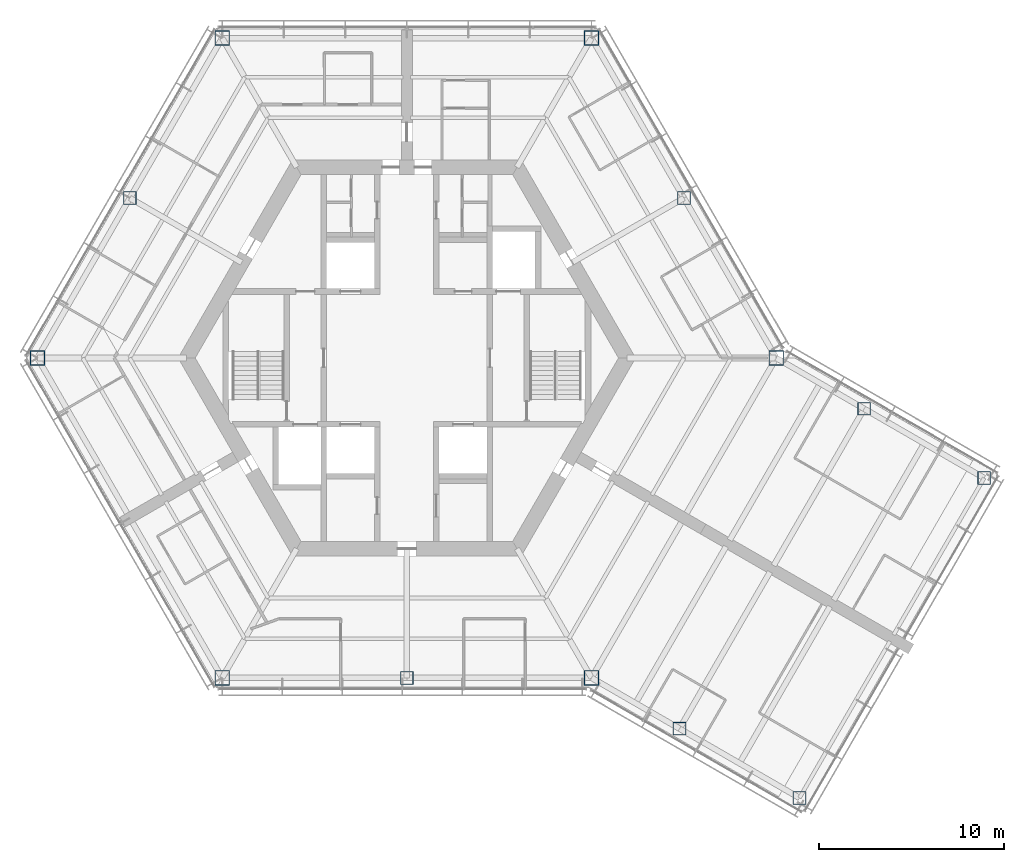
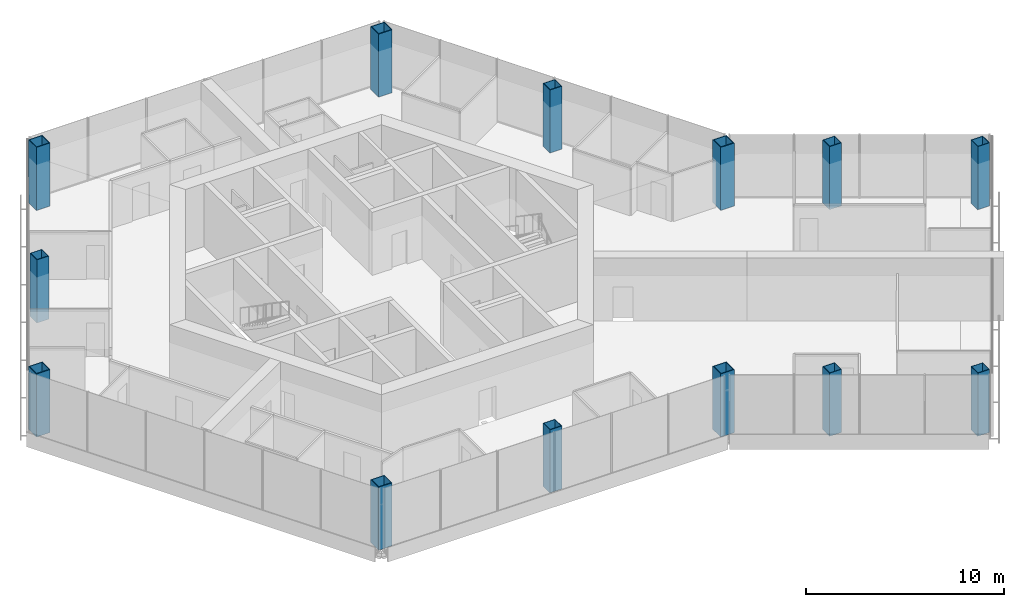
# One storey, part 1 of 16: 13 columns.
"""IFC4 building model written with IfcOpenShell, lengths in metres."""

import ifcopenshell
import ifcopenshell.guid

model = None  # the IFC model being written
_history = None  # IfcOwnerHistory: only IFC2X3 demands one
_inside = {}  # id of a spatial element -> (the spatial element, [elements in it])
_under = {}  # id of a project, library or spatial element -> (it, [spatial elements below it])
_declared = {}  # id of a project -> (the project, [libraries it declares])
_typed = {}  # id of a type object -> (the type object, [elements of that type])
_made_of = {}  # id of a material, layer set ... -> (it, [elements and type objects made of it])


def new_model(schema):
    """Start an empty IFC model of exactly this schema.

    Asked for "IFC4X3", IfcOpenShell would pick the latest addendum, in which some entities
    have other attributes; the version numbers below select the first issue.
    IFC2X3 requires an IfcOwnerHistory on every rooted entity: one is made here for all.
    """
    global model, _history
    if schema == "IFC4X3":
        model = ifcopenshell.file(schema_version=(4, 3, 0, 0))
    else:
        model = ifcopenshell.file(schema=schema)
    _inside.clear()
    _under.clear()
    _declared.clear()
    _typed.clear()
    _made_of.clear()
    _history = None
    if model.schema == "IFC2X3":
        org = make("IfcOrganization", Name="unknown")
        user = make(
            "IfcPersonAndOrganization",
            ThePerson=make("IfcPerson", FamilyName="unknown"),
            TheOrganization=org,
        )
        app = make(
            "IfcApplication",
            ApplicationDeveloper=org,
            Version="unknown",
            ApplicationFullName="unknown",
            ApplicationIdentifier="unknown",
        )
        _history = make(
            "IfcOwnerHistory",
            OwningUser=user,
            OwningApplication=app,
            ChangeAction="ADDED",
            CreationDate=0,
        )
    return model


def make(cls, **values):
    """One entity of the class cls with the attributes given. An attribute that is None is left unset."""
    return model.create_entity(
        cls, **{name: value for name, value in values.items() if value is not None}
    )


def rooted(cls, **values):
    """An entity with a GlobalId (a new one), such as an element, a storey or a relation."""
    return make(cls, GlobalId=ifcopenshell.guid.new(), OwnerHistory=_history, **values)


def si_unit(unit_type, name, prefix=None):
    """IfcSIUnit, for example si_unit("LENGTHUNIT", "METRE", prefix="MILLI")."""
    return make("IfcSIUnit", UnitType=unit_type, Prefix=prefix, Name=name)


def assignment(units):
    """IfcUnitAssignment: the units of a project."""
    return None if units is None else make("IfcUnitAssignment", Units=units)


def point(xyz):
    """IfcCartesianPoint."""
    return None if xyz is None else make("IfcCartesianPoint", Coordinates=xyz)


def direction(xyz):
    """IfcDirection."""
    return None if xyz is None else make("IfcDirection", DirectionRatios=xyz)


def frame(location, z_axis=None, x_axis=None):
    """IfcAxis2Placement3D, a coordinate frame: its origin and axes. An axis left out is left unset."""
    return make(
        "IfcAxis2Placement3D",
        Location=point(location),
        Axis=direction(z_axis),
        RefDirection=direction(x_axis),
    )


def frame_2d(location, x_axis=None):
    """IfcAxis2Placement2D, a coordinate frame in the plane: its origin and x axis."""
    return make(
        "IfcAxis2Placement2D", Location=point(location), RefDirection=direction(x_axis)
    )


def origin():
    """The frame at (0, 0, 0) with its axes left unset."""
    return frame((0.0, 0.0, 0.0))


def origin_2d():
    """The frame at (0, 0) in the plane with its x axis left unset."""
    return frame_2d((0.0, 0.0))


def place(relative_to, where):
    """IfcLocalPlacement: puts the frame where relative to a parent placement (None: the world)."""
    return make(
        "IfcLocalPlacement", PlacementRelTo=relative_to, RelativePlacement=where
    )


def context(
    kind, dimensions, precision=None, world=None, true_north=None, identifier=None
):
    """IfcGeometricRepresentationContext, for example the 3D "Model" context."""
    return make(
        "IfcGeometricRepresentationContext",
        ContextIdentifier=identifier,
        ContextType=kind,
        CoordinateSpaceDimension=dimensions,
        Precision=precision,
        WorldCoordinateSystem=world,
        TrueNorth=true_north,
    )


def subcontext(parent, identifier, kind, view, scale=None):
    """IfcGeometricRepresentationSubContext, for example "Body" below "Model"."""
    return make(
        "IfcGeometricRepresentationSubContext",
        ContextIdentifier=identifier,
        ContextType=kind,
        ParentContext=parent,
        TargetScale=scale,
        TargetView=view,
    )


def project(units=None, contexts=None):
    """IfcProject with its units and contexts."""
    return rooted(
        "IfcProject",
        Name="project",
        RepresentationContexts=contexts,
        UnitsInContext=assignment(units),
    )


def spatial(cls, under=None, at=None, **own):
    """A site, building, storey or space (cls), placed at a placement, below another one or the project."""
    s = rooted(cls, ObjectPlacement=at, **own)
    if under is not None:
        _under.setdefault(under.id(), (under, []))[1].append(s)
    return s


def profile(cls, at=None, kind="AREA", **sizes):
    """A parametric profile (cls). Its sizes go by their IFC names, for example OverallWidth=200.0."""
    return make(cls, ProfileType=kind, Position=at, **sizes)


def hollow_rectangle(**sizes):
    """IfcRectangleHollowProfileDef."""
    return profile("IfcRectangleHollowProfileDef", **sizes)


def extrude(swept, where, along, depth):
    """IfcExtrudedAreaSolid: the profile swept, set in the frame where, extruded along a direction by depth."""
    return make(
        "IfcExtrudedAreaSolid",
        SweptArea=swept,
        Position=where,
        ExtrudedDirection=direction(along),
        Depth=depth,
    )


def shape(context_of_items, identifier, shape_type, items):
    """IfcShapeRepresentation: the items that make up one representation, for example the "Body"."""
    return make(
        "IfcShapeRepresentation",
        ContextOfItems=context_of_items,
        RepresentationIdentifier=identifier,
        RepresentationType=shape_type,
        Items=items,
    )


def material(Name=None, Category=None):
    """IfcMaterial."""
    return make("IfcMaterial", Name=Name, Category=Category)


def material_profile(
    of_material, cross_section, Name=None, Category=None, Priority=None
):
    """IfcMaterialProfile: a cross section and its material."""
    return make(
        "IfcMaterialProfile",
        Name=Name,
        Material=of_material,
        Profile=cross_section,
        Priority=Priority,
        Category=Category,
    )


def profile_set(profiles, Name=None, composite=None):
    """IfcMaterialProfileSet."""
    return make(
        "IfcMaterialProfileSet",
        Name=Name,
        MaterialProfiles=profiles,
        CompositeProfile=composite,
    )


def made_of(thing, what):
    """Note that an element or type object is made of a material, layer set ...; save() writes the relation."""
    if what is not None:
        _made_of.setdefault(what.id(), (what, []))[1].append(thing)
    return thing


def type_object(cls, material=None, **own):
    """A type object (cls), such as IfcWallType, which elements share."""
    return made_of(rooted(cls, **own), material)


def element(
    cls,
    number,
    at=None,
    inside=None,
    cuts=None,
    type_object=None,
    material=None,
    context=None,
    identifier="Body",
    shape_type=None,
    held_by="IfcProductDefinitionShape",
    body=None,
    shapes=None,
    **own,
):
    """One element of the class cls, such as IfcWall. Its Tag is "e" and its number.

    at: its placement. inside: the storey or other place that contains it. cuts: it is an
    opening in that element (IfcRelVoidsElement). A single representation is given by context,
    identifier, shape_type and body (its items); several are given by shapes. held_by: the class
    of the entity that holds the representations. save() writes the other relations.
    """
    e = rooted(cls, Tag="e%d" % number, ObjectPlacement=at, **own)
    if body is not None:
        shapes = [shape(context, identifier, shape_type, body)]
    if shapes is not None:
        e.Representation = make(held_by, Representations=shapes)
    if inside is not None:
        _inside.setdefault(inside.id(), (inside, []))[1].append(e)
    if cuts is not None:
        rooted(
            "IfcRelVoidsElement", RelatingBuildingElement=cuts, RelatedOpeningElement=e
        )
    if type_object is not None:
        _typed.setdefault(type_object.id(), (type_object, []))[1].append(e)
    return made_of(e, material)


def aggregate(whole, parts):
    """IfcRelAggregates: a whole, such as a stair, and the parts it consists of."""
    return rooted("IfcRelAggregates", RelatingObject=whole, RelatedObjects=parts)


def save(model, path):
    """Write the relations noted so far, then the file.

    IfcRelAggregates (storeys below a building ...), IfcRelContainedInSpatialStructure (elements
    in a storey), IfcRelDefinesByType, IfcRelAssociatesMaterial and IfcRelDeclares: one each for
    every whole, place, type object, material and project.
    """
    for whole, parts in _under.values():
        aggregate(whole, parts)
    for where, things in _inside.values():
        rooted(
            "IfcRelContainedInSpatialStructure",
            RelatedElements=things,
            RelatingStructure=where,
        )
    for kind, things in _typed.values():
        rooted("IfcRelDefinesByType", RelatedObjects=things, RelatingType=kind)
    for what, things in _made_of.values():
        rooted("IfcRelAssociatesMaterial", RelatedObjects=things, RelatingMaterial=what)
    for by, libraries in _declared.values():
        rooted("IfcRelDeclares", RelatingContext=by, RelatedDefinitions=libraries)
    model.write(path)


model = new_model("IFC4")

# Units and contexts
model_context = context("Model", 3, precision=1e-05, world=origin(), true_north=direction((0.0, 1.0)))
body_context = subcontext(model_context, "Body", "Model", "MODEL_VIEW")
ifc_project = project(units=[si_unit("LENGTHUNIT", "METRE"), si_unit("AREAUNIT", "SQUARE_METRE"), si_unit("VOLUMEUNIT", "CUBIC_METRE"), si_unit("PLANEANGLEUNIT", "RADIAN"), si_unit("MASSUNIT", "GRAM", prefix="KILO")], contexts=[model_context])

# Site, building, storey
site_placement = place(None, origin())
site = spatial("IfcSite", under=ifc_project, at=site_placement, CompositionType="ELEMENT")
building_placement = place(site_placement, origin())
building = spatial("IfcBuilding", under=site, at=building_placement, Name="Kasaneha Research Tower", CompositionType="ELEMENT")
storey_placement = place(building_placement, frame((0.0, 0.0, 255.699951171875)))
storey = spatial("IfcBuildingStorey", under=building, at=storey_placement, Name="L64", CompositionType="ELEMENT", Elevation=255.699951171875)

# Columns
ifc_material_1 = material(Name="Steel SN490C", Category="steel")
ifc_material_profile_1 = material_profile(ifc_material_1, hollow_rectangle(XDim=0.800048828125, YDim=0.800048828125, WallThickness=0.0400390625, at=origin_2d()), Name="BOX-800x800x40")
ifc_profile_set_1 = profile_set([ifc_material_profile_1], Name="Steel SN490C")
column_type_1 = type_object("IfcColumnType", Name="C4A column BOX-800x800x40", PredefinedType="COLUMN", material=ifc_profile_set_1)
for number, where, z_axis, x_axis, name in (
    (1, (20.0, 0.0, 0.0), (0.0, 0.0, 1.0), (1.0, 0.0, 0.0), "Column V0 L64"),
    (2, (10.0, 17.320556640625, 0.0), (0.0, 0.0, 1.0), (1.0, 0.0, 0.0), "Column V1 L64"),
    (3, (-10.0, 17.320556640625, 0.0), (0.0, 0.0, 1.0), (1.0, 0.0, 0.0), "Column V2 L64"),
    (4, (-20.0, 0.0, 0.0), (0.0, 0.0, 1.0), (1.0, 0.0, 0.0), "Column V3 L64"),
    (5, (-10.0, -17.320556640625, 0.0), (0.0, 0.0, 1.0), (1.0, 0.0, 0.0), "Column V4 L64"),
    (6, (10.0, -17.320556640625, 0.0), (0.0, 0.0, 1.0), (1.0, 0.0, 0.0), "Column V5 L64"),
):
    element("IfcColumn", number, at=place(storey_placement, frame(where, z_axis=z_axis, x_axis=x_axis)), inside=storey, type_object=column_type_1, Name=name, PredefinedType="COLUMN", context=body_context, shape_type="SweptSolid", body=[
        extrude(hollow_rectangle(XDim=0.800048828125, YDim=0.800048828125, WallThickness=0.0400390625, at=origin_2d()), origin(), (0.0, 0.0, 1.0), 3.900146484375),
    ])
ifc_material_2 = material(Name="Steel SN490C", Category="steel")
ifc_material_profile_2 = material_profile(ifc_material_2, hollow_rectangle(XDim=0.699951171875, YDim=0.699951171875, WallThickness=0.031982421875, at=origin_2d()), Name="BOX-700x700x32")
ifc_profile_set_2 = profile_set([ifc_material_profile_2], Name="Steel SN490C")
column_type_2 = type_object("IfcColumnType", Name="C4B column BOX-700x700x32", PredefinedType="COLUMN", material=ifc_profile_set_2)
for number, where, z_axis, x_axis, name in (
    (7, (15.0, 8.66015625, 0.0), (0.0, 0.0, 1.0), (1.0, 0.0, 0.0), "Column M030 L64"),
    (8, (-15.0, 8.66015625, 0.0), (0.0, 0.0, 1.0), (1.0, 0.0, 0.0), "Column M150 L64"),
    (9, (0.0, -17.320556640625, 0.0), (0.0, 0.0, 1.0), (1.0, 0.0, 0.0), "Column M270 L64"),
    (10, (14.76318359375, -20.070556640625, 0.0), (0.0, 0.0, 1.0), (1.0, 0.0, 0.0), "Column CSP L64"),
    (11, (21.25830078125, -23.820556640625, 0.0), (0.0, 0.0, 1.0), (1.0, 0.0, 0.0), "Column CTP L64"),
    (12, (24.76318359375, -2.75, 0.0), (0.0, 0.0, 1.0), (1.0, 0.0, 0.0), "Column CSN L64"),
    (13, (31.25830078125, -6.5, 0.0), (0.0, 0.0, 1.0), (1.0, 0.0, 0.0), "Column CTN L64"),
):
    element("IfcColumn", number, at=place(storey_placement, frame(where, z_axis=z_axis, x_axis=x_axis)), inside=storey, type_object=column_type_2, Name=name, PredefinedType="COLUMN", context=body_context, shape_type="SweptSolid", body=[
        extrude(hollow_rectangle(XDim=0.699951171875, YDim=0.699951171875, WallThickness=0.031982421875, at=origin_2d()), origin(), (0.0, 0.0, 1.0), 3.900146484375),
    ])

save(model, "model.ifc")
